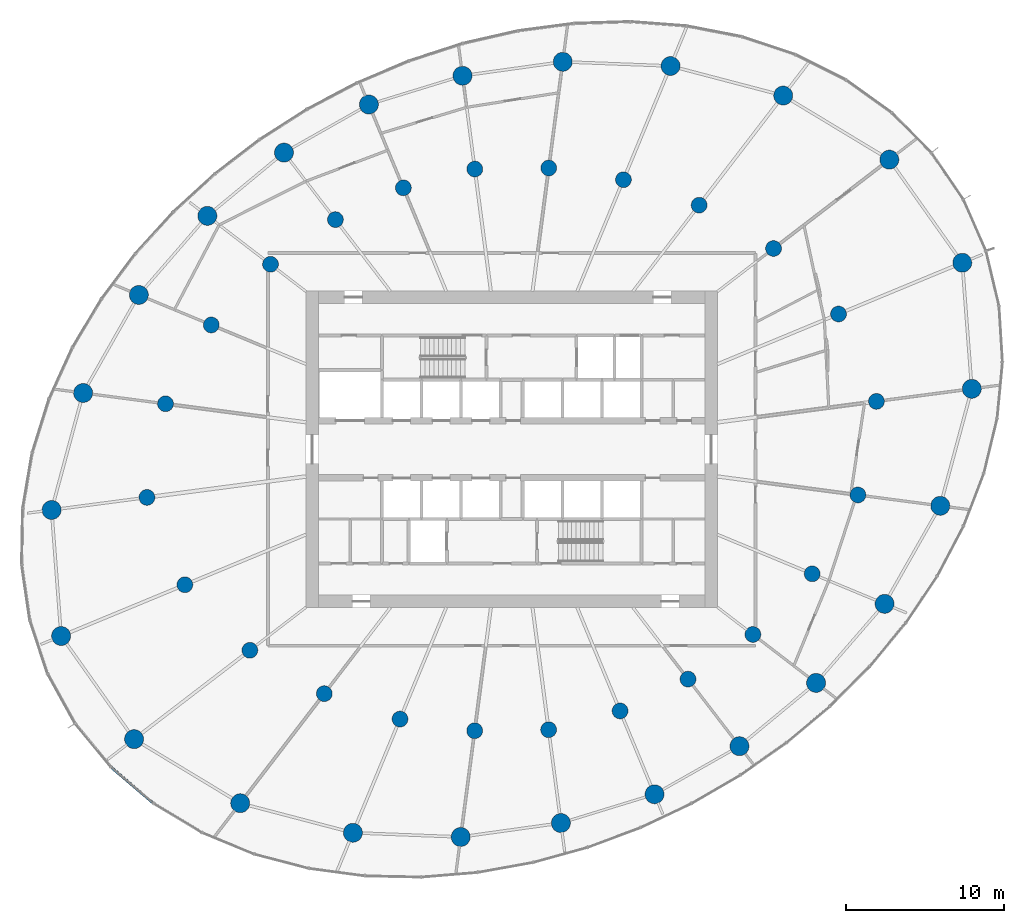
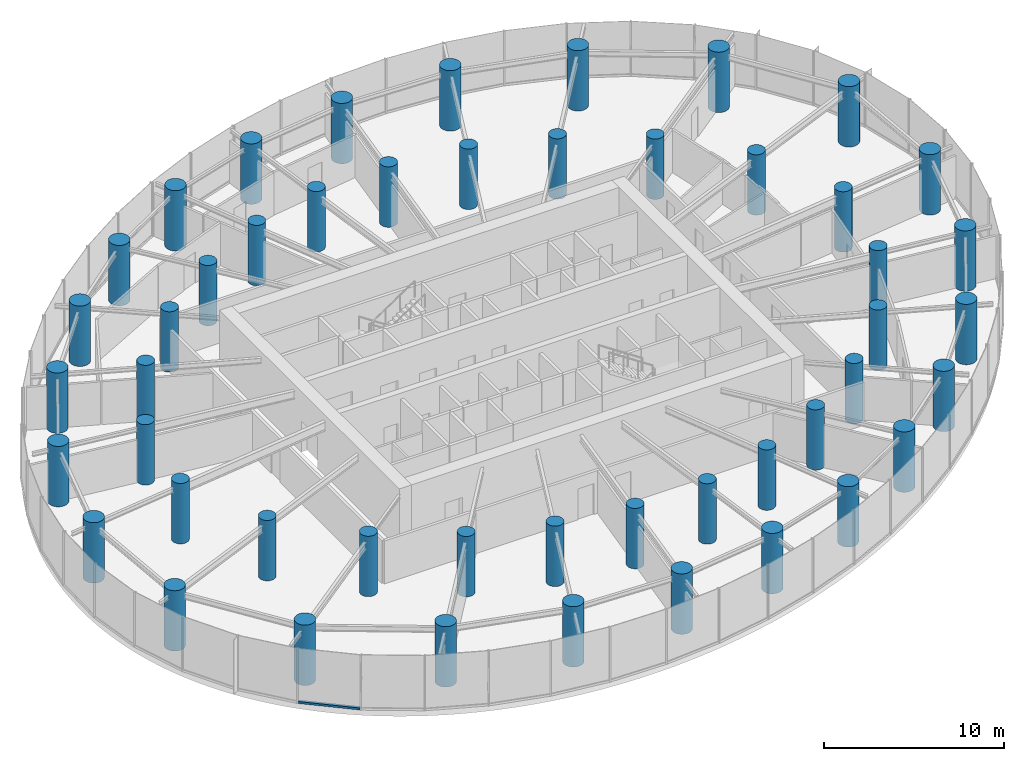
# One storey, part 1 of 18: 48 columns, 1 member, 1 element without a shape of its own.
"""IFC4 building model written with IfcOpenShell, lengths in metres."""

from ifc_helpers import new_model, si_unit, direction, frame, origin, origin_2d, place, context, subcontext, project, spatial, rectangle, circle, extrude, source, transform, mapped, material, layer, layer_set, material_profile, profile_set, type_object, element, aggregate, save


model = new_model("IFC4")

# Units and contexts
model_context = context("Model", 3, precision=1e-05, world=origin(), true_north=direction((0.0, 1.0)))
body_context = subcontext(model_context, "Body", "Model", "MODEL_VIEW")
ifc_project = project(units=[si_unit("LENGTHUNIT", "METRE"), si_unit("AREAUNIT", "SQUARE_METRE"), si_unit("VOLUMEUNIT", "CUBIC_METRE"), si_unit("PLANEANGLEUNIT", "RADIAN"), si_unit("MASSUNIT", "GRAM", prefix="KILO")], contexts=[model_context])

# Site, building, storey
site_placement = place(None, origin())
site = spatial("IfcSite", under=ifc_project, at=site_placement, CompositionType="ELEMENT")
building_placement = place(site_placement, origin())
building = spatial("IfcBuilding", under=site, at=building_placement, Name="Spindrift Exchange Tower", CompositionType="ELEMENT")
storey_placement = place(building_placement, frame((0.0, 0.0, 116.699951171875)))
storey = spatial("IfcBuildingStorey", under=building, at=storey_placement, Name="L27", CompositionType="ELEMENT", Elevation=116.699951171875)

# Columns
ifc_material_1 = material(Name="Concrete 65 MPa", Category="concrete")
ifc_material_profile_1 = material_profile(ifc_material_1, circle(Radius=0.60009765625, at=origin_2d()), Name="RC D1200")
ifc_profile_set_1 = profile_set([ifc_material_profile_1], Name="Concrete 65 MPa")
column_type_1 = type_object("IfcColumnType", Name="RC Perimeter Column D1200 Concrete 65 MPa", PredefinedType="COLUMN", material=ifc_profile_set_1)
shared_shape_1 = source(origin(), body_context, "Body", "SweptSolid", [
    extrude(circle(Radius=0.60009765625, at=origin_2d()), origin(), (0.0, 0.0, 1.0), 4.10009765625),
])
for number, where, z_axis, x_axis, name in (
    (1, (81.056396484375, 51.8251953125, 0.0), (0.0, 0.0, 1.0), (1.0, 0.0, 0.0), "Perimeter column P2-01 L27"),
    (2, (80.45556640625, 59.78662109375, 0.0), (0.0, 0.0, 1.0), (1.0, 0.0, 0.0), "Perimeter column P2-02 L27"),
    (3, (75.84814453125, 66.29931640625, 0.0), (0.0, 0.0, 1.0), (1.0, 0.0, 0.0), "Perimeter column P2-03 L27"),
    (4, (69.145751953125, 70.3447265625, 0.0), (0.0, 0.0, 1.0), (1.0, 0.0, 0.0), "Perimeter column P2-04 L27"),
    (5, (62.029052734375, 72.212158203125, 0.0), (0.0, 0.0, 1.0), (1.0, 0.0, 0.0), "Perimeter column P2-05 L27"),
    (6, (55.222412109375, 72.476806640625, 0.0), (0.0, 0.0, 1.0), (1.0, 0.0, 0.0), "Perimeter column P2-06 L27"),
    (7, (48.8935546875, 71.595458984375, 0.0), (0.0, 0.0, 1.0), (1.0, 0.0, 0.0), "Perimeter column P2-07 L27"),
    (8, (42.978271484375, 69.780517578125, 0.0), (0.0, 0.0, 1.0), (1.0, 0.0, 0.0), "Perimeter column P2-08 L27"),
    (9, (37.617919921875, 66.742919921875, 0.0), (0.0, 0.0, 1.0), (1.0, 0.0, 0.0), "Perimeter column P2-09 L27"),
    (10, (32.7802734375, 62.747802734375, 0.0), (0.0, 0.0, 1.0), (1.0, 0.0, 0.0), "Perimeter column P2-10 L27"),
    (11, (28.4521484375, 57.75390625, 0.0), (0.0, 0.0, 1.0), (1.0, 0.0, 0.0), "Perimeter column P2-11 L27"),
    (12, (24.935546875, 51.56298828125, 0.0), (0.0, 0.0, 1.0), (1.0, 0.0, 0.0), "Perimeter column P2-12 L27"),
    (13, (22.943603515625, 44.1748046875, 0.0), (0.0, 0.0, 1.0), (1.0, 0.0, 0.0), "Perimeter column P2-13 L27"),
    (14, (23.54443359375, 36.21337890625, 0.0), (0.0, 0.0, 1.0), (1.0, 0.0, 0.0), "Perimeter column P2-14 L27"),
    (15, (28.15185546875, 29.70068359375, 0.0), (0.0, 0.0, 1.0), (1.0, 0.0, 0.0), "Perimeter column P2-15 L27"),
    (16, (34.854248046875, 25.6552734375, 0.0), (0.0, 0.0, 1.0), (1.0, 0.0, 0.0), "Perimeter column P2-16 L27"),
    (17, (41.970947265625, 23.787841796875, 0.0), (0.0, 0.0, 1.0), (1.0, 0.0, 0.0), "Perimeter column P2-17 L27"),
    (18, (48.777587890625, 23.523193359375, 0.0), (0.0, 0.0, 1.0), (1.0, 0.0, 0.0), "Perimeter column P2-18 L27"),
    (19, (55.1064453125, 24.404541015625, 0.0), (0.0, 0.0, 1.0), (1.0, 0.0, 0.0), "Perimeter column P2-19 L27"),
    (20, (61.021728515625, 26.219482421875, 0.0), (0.0, 0.0, 1.0), (1.0, 0.0, 0.0), "Perimeter column P2-20 L27"),
    (21, (66.382080078125, 29.257080078125, 0.0), (0.0, 0.0, 1.0), (1.0, 0.0, 0.0), "Perimeter column P2-21 L27"),
    (22, (71.2197265625, 33.252197265625, 0.0), (0.0, 0.0, 1.0), (1.0, 0.0, 0.0), "Perimeter column P2-22 L27"),
    (23, (75.5478515625, 38.24609375, 0.0), (0.0, 0.0, 1.0), (1.0, 0.0, 0.0), "Perimeter column P2-23 L27"),
    (24, (79.064453125, 44.43701171875, 0.0), (0.0, 0.0, 1.0), (1.0, 0.0, 0.0), "Perimeter column P2-24 L27"),
):
    element("IfcColumn", number, at=place(storey_placement, frame(where, z_axis=z_axis, x_axis=x_axis)), inside=storey, type_object=column_type_1, Name=name, PredefinedType="COLUMN", context=body_context, shape_type="MappedRepresentation", body=[
        mapped(shared_shape_1, transform((0.0, 0.0, 0.0), scale=1.0)),
    ])
ifc_material_profile_2 = material_profile(ifc_material_1, circle(Radius=0.5, at=origin_2d()), Name="RC D1000")
ifc_profile_set_2 = profile_set([ifc_material_profile_2], Name="Concrete 65 MPa")
column_type_2 = type_object("IfcColumnType", Name="RC Inner Column D1000 Concrete 65 MPa", PredefinedType="COLUMN", material=ifc_profile_set_2)
shared_shape_2 = source(origin(), body_context, "Body", "SweptSolid", [
    extrude(circle(Radius=0.5, at=origin_2d()), origin(), (0.0, 0.0, 1.0), 4.10009765625),
])
for number, where, z_axis, x_axis, name in (
    (25, (75.033935546875, 51.032470703125, 0.0), (0.0, 0.0, 1.0), (1.0, 0.0, 0.0), "Inner column Q2-01 L27"),
    (26, (72.639404296875, 56.549072265625, 0.0), (0.0, 0.0, 1.0), (1.0, 0.0, 0.0), "Inner column Q2-02 L27"),
    (27, (68.534912109375, 60.6875, 0.0), (0.0, 0.0, 1.0), (1.0, 0.0, 0.0), "Inner column Q2-03 L27"),
    (28, (63.835205078125, 63.423828125, 0.0), (0.0, 0.0, 1.0), (1.0, 0.0, 0.0), "Inner column Q2-04 L27"),
    (29, (59.0546875, 65.03125, 0.0), (0.0, 0.0, 1.0), (1.0, 0.0, 0.0), "Inner column Q2-05 L27"),
    (30, (54.339111328125, 65.767333984375, 0.0), (0.0, 0.0, 1.0), (1.0, 0.0, 0.0), "Inner column Q2-06 L27"),
    (31, (49.669189453125, 65.703125, 0.0), (0.0, 0.0, 1.0), (1.0, 0.0, 0.0), "Inner column Q2-07 L27"),
    (32, (45.158203125, 64.517578125, 0.0), (0.0, 0.0, 1.0), (1.0, 0.0, 0.0), "Inner column Q2-08 L27"),
    (33, (40.8662109375, 62.510009765625, 0.0), (0.0, 0.0, 1.0), (1.0, 0.0, 0.0), "Inner column Q2-09 L27"),
    (34, (36.767578125, 59.688232421875, 0.0), (0.0, 0.0, 1.0), (1.0, 0.0, 0.0), "Inner column Q2-10 L27"),
    (35, (33.027587890625, 55.858642578125, 0.0), (0.0, 0.0, 1.0), (1.0, 0.0, 0.0), "Inner column Q2-11 L27"),
    (36, (30.13671875, 50.87841796875, 0.0), (0.0, 0.0, 1.0), (1.0, 0.0, 0.0), "Inner column Q2-12 L27"),
    (37, (28.966064453125, 44.967529296875, 0.0), (0.0, 0.0, 1.0), (1.0, 0.0, 0.0), "Inner column Q2-13 L27"),
    (38, (31.360595703125, 39.450927734375, 0.0), (0.0, 0.0, 1.0), (1.0, 0.0, 0.0), "Inner column Q2-14 L27"),
    (39, (35.465087890625, 35.3125, 0.0), (0.0, 0.0, 1.0), (1.0, 0.0, 0.0), "Inner column Q2-15 L27"),
    (40, (40.164794921875, 32.576171875, 0.0), (0.0, 0.0, 1.0), (1.0, 0.0, 0.0), "Inner column Q2-16 L27"),
    (41, (44.9453125, 30.96875, 0.0), (0.0, 0.0, 1.0), (1.0, 0.0, 0.0), "Inner column Q2-17 L27"),
    (42, (49.660888671875, 30.232666015625, 0.0), (0.0, 0.0, 1.0), (1.0, 0.0, 0.0), "Inner column Q2-18 L27"),
    (43, (54.330810546875, 30.296875, 0.0), (0.0, 0.0, 1.0), (1.0, 0.0, 0.0), "Inner column Q2-19 L27"),
    (44, (58.841796875, 31.482421875, 0.0), (0.0, 0.0, 1.0), (1.0, 0.0, 0.0), "Inner column Q2-20 L27"),
    (45, (63.1337890625, 33.489990234375, 0.0), (0.0, 0.0, 1.0), (1.0, 0.0, 0.0), "Inner column Q2-21 L27"),
    (46, (67.232421875, 36.311767578125, 0.0), (0.0, 0.0, 1.0), (1.0, 0.0, 0.0), "Inner column Q2-22 L27"),
    (47, (70.972412109375, 40.141357421875, 0.0), (0.0, 0.0, 1.0), (1.0, 0.0, 0.0), "Inner column Q2-23 L27"),
    (48, (73.86328125, 45.12158203125, 0.0), (0.0, 0.0, 1.0), (1.0, 0.0, 0.0), "Inner column Q2-24 L27"),
):
    element("IfcColumn", number, at=place(storey_placement, frame(where, z_axis=z_axis, x_axis=x_axis)), inside=storey, type_object=column_type_2, Name=name, PredefinedType="COLUMN", context=body_context, shape_type="MappedRepresentation", body=[
        mapped(shared_shape_2, transform((0.0, 0.0, 0.0), scale=1.0)),
    ])

# Curtain wall, member
ifc_material_2 = material(Name="Fritted laminated glass with bronze frame", Category="glass")
ifc_layer = layer(ifc_material_2, 0.18994140625)
ifc_layer_set = layer_set([ifc_layer], Name="ZONE 2 BRONZE FRITTED WALL")
curtain_wall_type = type_object("IfcCurtainWallType", Name="ZONE 2 BRONZE FRITTED WALL", PredefinedType="NOTDEFINED", material=ifc_layer_set)
curtain_wall_placement = place(storey_placement, origin())
curtain_wall = element("IfcCurtainWall", 49, at=curtain_wall_placement, inside=storey, type_object=curtain_wall_type, Name="L27 Zone 2 Bronze Fritted Wall run 5", PredefinedType="NOTDEFINED")
ifc_material_3 = material(Name="Bronze anodised aluminium", Category="aluminium")
ifc_material_profile_3 = material_profile(ifc_material_3, rectangle(XDim=0.169921875, YDim=0.139892578125, at=origin_2d()), Name="ZONE 2 BRONZE FRITTED WALL TRANSOM 170X140")
ifc_profile_set_3 = profile_set([ifc_material_profile_3], Name="Bronze anodised aluminium")
member_type = type_object("IfcMemberType", Name="ZONE 2 BRONZE FRITTED WALL TRANSOM 170X140", PredefinedType="USERDEFINED", material=ifc_profile_set_3)
shared_shape_3 = source(origin(), body_context, "Body", "SweptSolid", [
    extrude(rectangle(XDim=0.169921875, YDim=0.139892578125, at=origin_2d()), origin(), (0.0, 0.0, 1.0), 3.48828125),
])
member_placement = place(storey_placement, frame((26.70947265625, 27.918701171875, 0.070068359375), z_axis=(0.761327676761, -0.648367309939, 0.0), x_axis=(0.648367309939, 0.761327676761, 0.0)))
member = element("IfcMember", 50, at=member_placement, type_object=member_type, Name="L27 transom CW-2.28", ObjectType="TRANSOM", PredefinedType="USERDEFINED", context=body_context, shape_type="MappedRepresentation", body=[
    mapped(shared_shape_3, transform((0.0, 0.0, 0.0), scale=1.0)),
])
aggregate(curtain_wall, [member])

save(model, "model.ifc")
